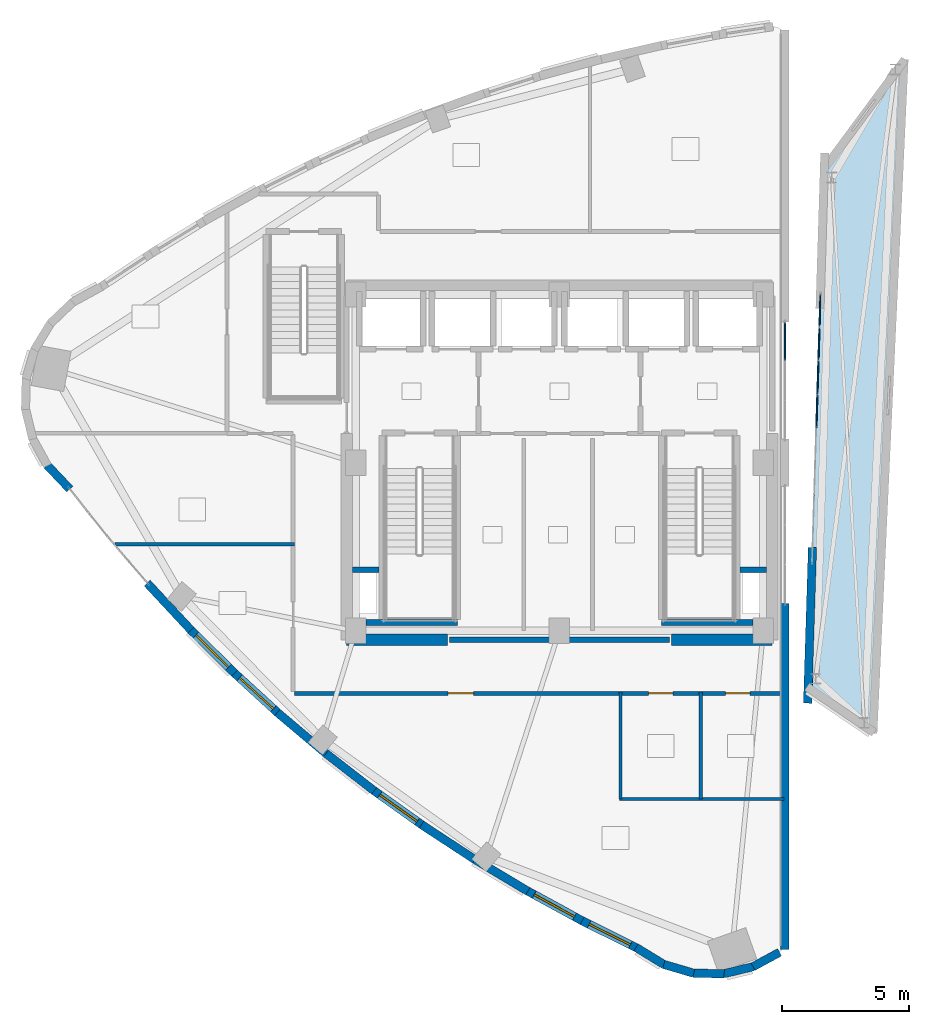
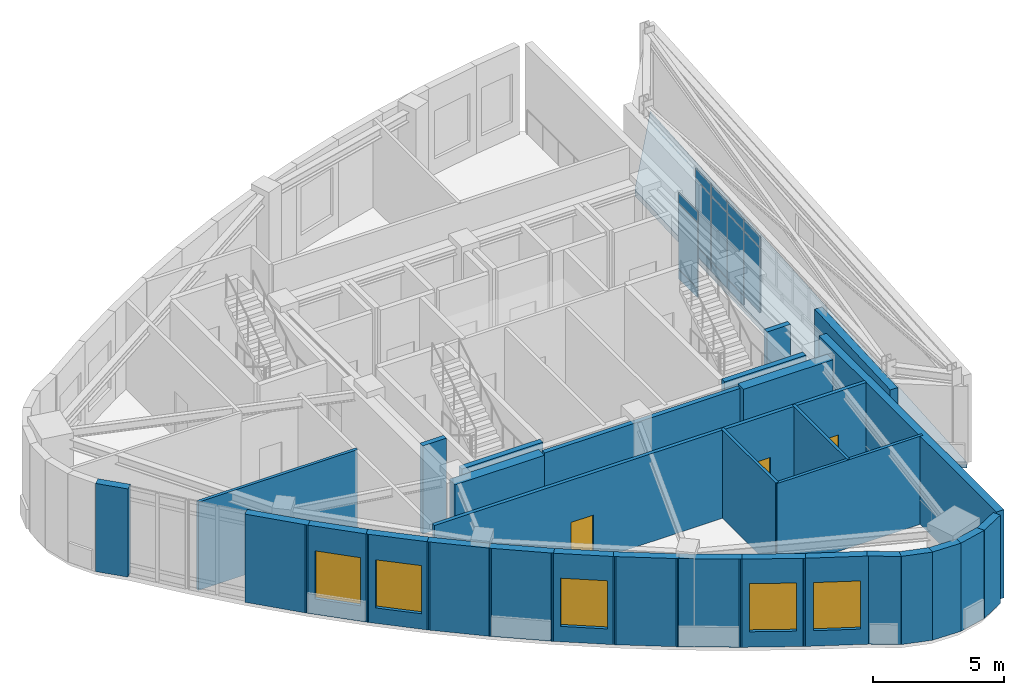
# One storey, part 13 of 19: 30 walls, 14 plates, 5 windows, 3 doors, 1 slab, 8 openings, 2 elements without a shape of their own.
"""IFC4 building model written with IfcOpenShell, lengths in metres."""

from ifc_helpers import new_model, si_unit, direction, frame, frame_2d, origin, origin_2d, place, context, subcontext, project, spatial, polyline, rectangle, outline, extrude, material, layer, layer_set, type_object, element, fill, aggregate, save


model = new_model("IFC4")

# Units and contexts
model_context = context("Model", 3, precision=1e-05, world=origin(), true_north=direction((0.0, 1.0)))
body_context = subcontext(model_context, "Body", "Model", "MODEL_VIEW")
ifc_project = project(units=[si_unit("LENGTHUNIT", "METRE"), si_unit("AREAUNIT", "SQUARE_METRE"), si_unit("VOLUMEUNIT", "CUBIC_METRE"), si_unit("PLANEANGLEUNIT", "RADIAN"), si_unit("MASSUNIT", "GRAM", prefix="KILO")], contexts=[model_context])

# Site, building, storey
site_placement = place(None, origin())
site = spatial("IfcSite", under=ifc_project, at=site_placement, CompositionType="ELEMENT")
building_placement = place(site_placement, origin())
building = spatial("IfcBuilding", under=site, at=building_placement, Name="Ndelora Gate Hotel", CompositionType="ELEMENT")
storey_placement = place(building_placement, frame((0.0, 0.0, 299.199951171875)))
storey = spatial("IfcBuildingStorey", under=building, at=storey_placement, Name="L74", CompositionType="ELEMENT", Elevation=299.199951171875)

# Curtain wall, plates
ifc_material_1 = material(Name="Bronze Anodised Unitised Aluminium and Low-E Glass", Category="aluminium")
ifc_layer_1 = layer(ifc_material_1, 0.199951171875)
ifc_layer_set_1 = layer_set([ifc_layer_1], Name="Bronze Anodised Unitised Aluminium and Low-E Glass")
curtain_wall_type = type_object("IfcCurtainWallType", Name="CW-SYS-8", PredefinedType="NOTDEFINED", material=ifc_layer_set_1)
curtain_wall_1_placement = place(storey_placement, origin())
curtain_wall_1 = element("IfcCurtainWall", 1, at=curtain_wall_1_placement, inside=storey, type_object=curtain_wall_type, Name="L74 Split-Crown West Cleft Lantern Curtain Wall CW8-2", PredefinedType="NOTDEFINED")
ifc_material_2 = material(Name="Solar-Control Low-E Insulated Glazing", Category="glass")
ifc_layer_2 = layer(ifc_material_2, 0.048095703125)
ifc_layer_set_2 = layer_set([ifc_layer_2], Name="Solar-Control Low-E Insulated Glazing")
plate_type = type_object("IfcPlateType", Name="PL-CW-GLZ36", PredefinedType="CURTAIN_PANEL", material=ifc_layer_set_2)
plate_1_placement = place(storey_placement, frame((8.85009765625, 4.760009765625, 0.05419921875), z_axis=(0.0, 0.0, 1.0), x_axis=(0.0, 1.0, 0.0)))
plate_1 = element("IfcPlate", 2, at=plate_1_placement, type_object=plate_type, Name="CW8 panel 3.1", PredefinedType="CURTAIN_PANEL", context=body_context, shape_type="SweptSolid", body=[
    extrude(rectangle(XDim=1.471923828125, YDim=0.048095703125, at=origin_2d()), origin(), (0.0, 0.0, 1.0), 0.422119140625),
])
plate_2_placement = place(storey_placement, frame((8.85009765625, 4.760009765625, 0.524169921875), z_axis=(0.0, 0.0, 1.0), x_axis=(0.0, 1.0, 0.0)))
plate_2 = element("IfcPlate", 3, at=plate_2_placement, type_object=plate_type, Name="CW8 panel 3.2", PredefinedType="CURTAIN_PANEL", context=body_context, shape_type="SweptSolid", body=[
    extrude(rectangle(XDim=1.471923828125, YDim=0.048095703125, at=origin_2d()), origin(), (0.0, 0.0, 1.0), 3.02197265625),
])
plate_3_placement = place(storey_placement, frame((8.85009765625, 4.760009765625, 3.59423828125), z_axis=(0.0, 0.0, 1.0), x_axis=(0.0, 1.0, 0.0)))
plate_3 = element("IfcPlate", 4, at=plate_3_placement, type_object=plate_type, Name="CW8 panel 3.3", PredefinedType="CURTAIN_PANEL", context=body_context, shape_type="SweptSolid", body=[
    extrude(rectangle(XDim=1.471923828125, YDim=0.048095703125, at=origin_2d()), origin(), (0.0, 0.0, 1.0), 0.471923828125),
])
aggregate(curtain_wall_1, [plate_1, plate_2, plate_3])

curtain_wall_2_placement = place(storey_placement, origin())
curtain_wall_2 = element("IfcCurtainWall", 5, at=curtain_wall_2_placement, inside=storey, type_object=curtain_wall_type, Name="L74 Split-Crown East Cleft Lantern Curtain Wall CW8", PredefinedType="NOTDEFINED")
plate_4_placement = place(storey_placement, frame((10.21875, 5.97509765625, 0.05419921875), z_axis=(0.0, 0.0, 1.0), x_axis=(-0.031131345484, -0.999515302198, 0.0)))
plate_4 = element("IfcPlate", 6, at=plate_4_placement, type_object=plate_type, Name="CW8 panel 1.1", PredefinedType="CURTAIN_PANEL", context=body_context, shape_type="SweptSolid", body=[
    extrude(rectangle(XDim=1.24658203125, YDim=0.048095703125, at=origin_2d()), origin(), (0.0, 0.0, 1.0), 0.422119140625),
])
plate_5_placement = place(storey_placement, frame((10.21875, 5.97509765625, 0.524169921875), z_axis=(0.0, 0.0, 1.0), x_axis=(-0.031131345484, -0.999515302198, 0.0)))
plate_5 = element("IfcPlate", 7, at=plate_5_placement, type_object=plate_type, Name="CW8 panel 1.2", PredefinedType="CURTAIN_PANEL", context=body_context, shape_type="SweptSolid", body=[
    extrude(rectangle(XDim=1.24658203125, YDim=0.048095703125, at=origin_2d()), origin(), (0.0, 0.0, 1.0), 3.02197265625),
])
plate_6_placement = place(storey_placement, frame((10.21875, 5.97509765625, 3.59423828125), z_axis=(0.0, 0.0, 1.0), x_axis=(-0.031131345484, -0.999515302198, 0.0)))
plate_6 = element("IfcPlate", 8, at=plate_6_placement, type_object=plate_type, Name="CW8 panel 1.3", PredefinedType="CURTAIN_PANEL", context=body_context, shape_type="SweptSolid", body=[
    extrude(rectangle(XDim=1.24658203125, YDim=0.048095703125, at=origin_2d()), origin(), (0.0, 0.0, 1.0), 0.471923828125),
])
plate_7_placement = place(storey_placement, frame((10.177978515625, 4.666259765625, 0.05419921875), z_axis=(0.0, 0.0, 1.0), x_axis=(-0.031131345484, -0.999515302198, 0.0)))
plate_7 = element("IfcPlate", 9, at=plate_7_placement, type_object=plate_type, Name="CW8 panel 2.1", PredefinedType="CURTAIN_PANEL", context=body_context, shape_type="SweptSolid", body=[
    extrude(rectangle(XDim=1.276611328125, YDim=0.048095703125, at=origin_2d()), origin(), (0.0, 0.0, 1.0), 0.422119140625),
])
plate_8_placement = place(storey_placement, frame((10.177978515625, 4.666259765625, 0.524169921875), z_axis=(0.0, 0.0, 1.0), x_axis=(-0.031131345484, -0.999515302198, 0.0)))
plate_8 = element("IfcPlate", 10, at=plate_8_placement, type_object=plate_type, Name="CW8 panel 2.2", PredefinedType="CURTAIN_PANEL", context=body_context, shape_type="SweptSolid", body=[
    extrude(rectangle(XDim=1.276611328125, YDim=0.048095703125, at=origin_2d()), origin(), (0.0, 0.0, 1.0), 3.02197265625),
])
plate_9_placement = place(storey_placement, frame((10.177978515625, 4.666259765625, 3.59423828125), z_axis=(0.0, 0.0, 1.0), x_axis=(-0.031131345484, -0.999515302198, 0.0)))
plate_9 = element("IfcPlate", 11, at=plate_9_placement, type_object=plate_type, Name="CW8 panel 2.3", PredefinedType="CURTAIN_PANEL", context=body_context, shape_type="SweptSolid", body=[
    extrude(rectangle(XDim=1.276611328125, YDim=0.048095703125, at=origin_2d()), origin(), (0.0, 0.0, 1.0), 0.471923828125),
])
plate_10_placement = place(storey_placement, frame((10.13671875, 3.34228515625, 0.05419921875), z_axis=(0.0, 0.0, 1.0), x_axis=(-0.031131345484, -0.999515302198, 0.0)))
plate_10 = element("IfcPlate", 12, at=plate_10_placement, type_object=plate_type, Name="CW8 panel 3.1", PredefinedType="CURTAIN_PANEL", context=body_context, shape_type="SweptSolid", body=[
    extrude(rectangle(XDim=1.276611328125, YDim=0.048095703125, at=origin_2d()), origin(), (0.0, 0.0, 1.0), 0.422119140625),
])
plate_11_placement = place(storey_placement, frame((10.13671875, 3.34228515625, 0.524169921875), z_axis=(0.0, 0.0, 1.0), x_axis=(-0.031131345484, -0.999515302198, 0.0)))
plate_11 = element("IfcPlate", 13, at=plate_11_placement, type_object=plate_type, Name="CW8 panel 3.2", PredefinedType="CURTAIN_PANEL", context=body_context, shape_type="SweptSolid", body=[
    extrude(rectangle(XDim=1.276611328125, YDim=0.048095703125, at=origin_2d()), origin(), (0.0, 0.0, 1.0), 3.02197265625),
])
plate_12_placement = place(storey_placement, frame((10.13671875, 3.34228515625, 3.59423828125), z_axis=(0.0, 0.0, 1.0), x_axis=(-0.031131345484, -0.999515302198, 0.0)))
plate_12 = element("IfcPlate", 14, at=plate_12_placement, type_object=plate_type, Name="CW8 panel 3.3", PredefinedType="CURTAIN_PANEL", context=body_context, shape_type="SweptSolid", body=[
    extrude(rectangle(XDim=1.276611328125, YDim=0.048095703125, at=origin_2d()), origin(), (0.0, 0.0, 1.0), 0.471923828125),
])
plate_13_placement = place(storey_placement, frame((10.095458984375, 2.018310546875, 0.524169921875), z_axis=(0.0, 0.0, 1.0), x_axis=(-0.031131345484, -0.999515302198, 0.0)))
plate_13 = element("IfcPlate", 15, at=plate_13_placement, type_object=plate_type, Name="CW8 panel 4.2", PredefinedType="CURTAIN_PANEL", context=body_context, shape_type="SweptSolid", body=[
    extrude(rectangle(XDim=1.276611328125, YDim=0.048095703125, at=origin_2d()), origin(), (0.0, 0.0, 1.0), 3.02197265625),
])
plate_14_placement = place(storey_placement, frame((10.095458984375, 2.018310546875, 3.59423828125), z_axis=(0.0, 0.0, 1.0), x_axis=(-0.031131345484, -0.999515302198, 0.0)))
plate_14 = element("IfcPlate", 16, at=plate_14_placement, type_object=plate_type, Name="CW8 panel 4.3", PredefinedType="CURTAIN_PANEL", context=body_context, shape_type="SweptSolid", body=[
    extrude(rectangle(XDim=1.276611328125, YDim=0.048095703125, at=origin_2d()), origin(), (0.0, 0.0, 1.0), 0.471923828125),
])
aggregate(curtain_wall_2, [plate_4, plate_5, plate_6, plate_7, plate_8, plate_9, plate_10, plate_11, plate_12, plate_13, plate_14])

# Slab
ifc_material_3 = material(Name="Concrete C40/50", Category="concrete")
ifc_layer_3 = layer(ifc_material_3, 0.280029296875)
ifc_layer_set_3 = layer_set([ifc_layer_3], Name="Concrete C40/50")
slab_type = type_object("IfcSlabType", Name="SL-ROOF-280", PredefinedType="ROOF", material=ifc_layer_set_3)
slab_placement = place(storey_placement, frame((0.0, 0.0, -0.280029296875)))
element("IfcSlab", 17, at=slab_placement, inside=storey, type_object=slab_type, Name="L74 East Crown Peak Deck", PredefinedType="ROOF", context=body_context, shape_type="SweptSolid", body=[
    extrude(outline(polyline([(9.757568359375, -8.828369140625), (12.306884765625, -10.562255859375), (13.527099609375, 15.7783203125), (10.39208984375, 11.540771484375), (9.757568359375, -8.828369140625)])), origin(), (0.0, 0.0, 1.0), 0.280029296875),
])

# Walls
ifc_material_4 = material(Name="Clay Brick Masonry", Category="masonry")
ifc_layer_4 = layer(ifc_material_4, 0.330078125)
ifc_layer_set_4 = layer_set([ifc_layer_4], Name="Clay Brick Masonry")
wall_type_1 = type_object("IfcWallType", Name="WL-BRICK-330", PredefinedType="SOLIDWALL", material=ifc_layer_set_4)
wall_1_placement = place(storey_placement, frame((8.85009765625, -5.52001953125, 0.0), z_axis=(0.0, 0.0, 1.0), x_axis=(0.0, -1.0, 0.0)))
element("IfcWall", 18, at=wall_1_placement, inside=storey, type_object=wall_type_1, Name="L74 West Crown Canyon Brick Pier 1", PredefinedType="SOLIDWALL", context=body_context, shape_type="SweptSolid", body=[
    extrude(rectangle(XDim=13.590576171875, YDim=0.330078125, at=frame_2d((6.79541015625, 0.0))), origin(), (0.0, 0.0, 1.0), 4.1201171875),
])
wall_2_placement = place(storey_placement, frame((9.738525390625, -9.439453125, 0.0), z_axis=(0.0, 0.0, 1.0), x_axis=(0.031147484759, 0.999514799387, 0.0)))
element("IfcWall", 19, at=wall_2_placement, inside=storey, type_object=wall_type_1, Name="L74 East Crown Canyon Brick Pier 1", PredefinedType="SOLIDWALL", context=body_context, shape_type="SweptSolid", body=[
    extrude(rectangle(XDim=6.11376953125, YDim=0.330078125, at=frame_2d((3.056884765625, 0.0))), origin(), (0.0, 0.0, 1.0), 3.650146484375),
])
wall_3_placement = place(storey_placement, frame((-19.214599609375, -1.038818359375, 0.0), z_axis=(0.0, 0.0, 1.0), x_axis=(-0.687489239636, 0.726194564414, 0.0)))
element("IfcWall", 20, at=wall_3_placement, inside=storey, type_object=wall_type_1, Name="L74 Tower Brick Pier-and-Spandrel Wall WPK-15", PredefinedType="SOLIDWALL", context=body_context, shape_type="SweptSolid", body=[
    extrude(rectangle(XDim=1.29931640625, YDim=0.330078125, at=frame_2d((0.649658203125, 0.0))), origin(), (0.0, 0.0, 1.0), 4.1201171875),
])
wall_4_placement = place(storey_placement, frame((-14.4619140625, -6.572021484375, 0.0), z_axis=(0.0, 0.0, 1.0), x_axis=(-0.681100323402, 0.732190104728, 0.0)))
element("IfcWall", 21, at=wall_4_placement, inside=storey, type_object=wall_type_1, Name="L74 Tower Brick Pier-and-Spandrel Wall WPK-18", PredefinedType="SOLIDWALL", context=body_context, shape_type="SweptSolid", body=[
    extrude(rectangle(XDim=2.523193359375, YDim=0.330078125, at=frame_2d((1.26171875, 0.0))), origin(), (0.0, 0.0, 1.0), 4.1201171875),
])

# Wall, opening, window
wall_5_placement = place(storey_placement, frame((-12.755859375, -8.26171875, 0.0), z_axis=(0.0, 0.0, 1.0), x_axis=(-0.709823779942, 0.704379302243, 0.0)))
wall_5 = element("IfcWall", 22, at=wall_5_placement, inside=storey, type_object=wall_type_1, Name="L74 Tower Brick Pier-and-Spandrel Wall WPK-19", PredefinedType="SOLIDWALL", context=body_context, shape_type="SweptSolid", body=[
    extrude(rectangle(XDim=2.51123046875, YDim=0.330078125, at=frame_2d((1.255615234375, 0.0))), origin(), (0.0, 0.0, 1.0), 4.1201171875),
])
opening_1_placement = place(wall_5_placement, frame((0.32568359375, 0.0, 0.719970703125)))
opening_1 = element("IfcOpeningElement", 23, at=opening_1_placement, cuts=wall_5, Name="Opening W06", PredefinedType="OPENING", context=body_context, shape_type="SweptSolid", body=[
    extrude(rectangle(XDim=1.800048828125, YDim=2.25, at=frame_2d((0.89990234375, 1.125))), frame((0.0, 0.175048828125, 0.0), z_axis=(0.0, -1.0, 0.0), x_axis=(1.0, 0.0, 0.0)), (0.0, 0.0, 1.0), 0.35009765625),
])
ifc_material_5 = material(Name="Insulated Low-E Double Glazing in Bronze Aluminium Frame", Category="aluminium")
window_type = type_object("IfcWindowType", Name="WN-OBS-1800", PartitioningType="SINGLE_PANEL", PredefinedType="WINDOW", material=ifc_material_5)
window_1_placement = place(opening_1_placement, origin())
window_1 = element("IfcWindow", 24, at=window_1_placement, inside=storey, type_object=window_type, Name="L74 Deep-Set Brick-Pier Window W06", OverallHeight=2.25, OverallWidth=1.800048828125, PartitioningType="SINGLE_PANEL", PredefinedType="WINDOW", context=body_context, shape_type="SweptSolid", body=[
    extrude(rectangle(XDim=1.800048828125, YDim=2.25, at=frame_2d((0.89990234375, 1.125))), frame((0.0, 0.030029296875, 0.0), z_axis=(0.0, -1.0, 0.0), x_axis=(1.0, 0.0, 0.0)), (0.0, 0.0, 1.0), 0.06005859375),
])
fill(opening_1, window_1)

wall_6_placement = place(storey_placement, frame((-10.989013671875, -9.876220703125, 0.0), z_axis=(0.0, 0.0, 1.0), x_axis=(-0.737627628948, 0.675207731748, 0.0)))
wall_6 = element("IfcWall", 25, at=wall_6_placement, inside=storey, type_object=wall_type_1, Name="L74 Tower Brick Pier-and-Spandrel Wall WPK-20", PredefinedType="SOLIDWALL", context=body_context, shape_type="SweptSolid", body=[
    extrude(rectangle(XDim=2.503173828125, YDim=0.330078125, at=frame_2d((1.25146484375, 0.0))), origin(), (0.0, 0.0, 1.0), 4.1201171875),
])
opening_2_placement = place(wall_6_placement, frame((0.321533203125, 0.0, 0.719970703125)))
opening_2 = element("IfcOpeningElement", 26, at=opening_2_placement, cuts=wall_6, Name="Opening W06", PredefinedType="OPENING", context=body_context, shape_type="SweptSolid", body=[
    extrude(rectangle(XDim=1.800048828125, YDim=2.25, at=frame_2d((0.89990234375, 1.125))), frame((0.0, 0.175048828125, 0.0), z_axis=(0.0, -1.0, 0.0), x_axis=(1.0, 0.0, 0.0)), (0.0, 0.0, 1.0), 0.35009765625),
])
window_2_placement = place(opening_2_placement, origin())
window_2 = element("IfcWindow", 27, at=window_2_placement, inside=storey, type_object=window_type, Name="L74 Deep-Set Brick-Pier Window W06", OverallHeight=2.25, OverallWidth=1.800048828125, PartitioningType="SINGLE_PANEL", PredefinedType="WINDOW", context=body_context, shape_type="SweptSolid", body=[
    extrude(rectangle(XDim=1.800048828125, YDim=2.25, at=frame_2d((0.89990234375, 1.125))), frame((0.0, 0.030029296875, 0.0), z_axis=(0.0, -1.0, 0.0), x_axis=(1.0, 0.0, 0.0)), (0.0, 0.0, 1.0), 0.06005859375),
])
fill(opening_2, window_2)

# Walls
wall_7_placement = place(storey_placement, frame((-9.161376953125, -11.415283203125, 0.0), z_axis=(0.0, 0.0, 1.0), x_axis=(-0.764315556833, 0.644842406781, 0.0)))
element("IfcWall", 28, at=wall_7_placement, inside=storey, type_object=wall_type_1, Name="L74 Tower Brick Pier-and-Spandrel Wall WPK-21", PredefinedType="SOLIDWALL", context=body_context, shape_type="SweptSolid", body=[
    extrude(rectangle(XDim=2.499267578125, YDim=0.330078125, at=frame_2d((1.24951171875, 0.0))), origin(), (0.0, 0.0, 1.0), 4.1201171875),
])
wall_8_placement = place(storey_placement, frame((-7.27294921875, -12.87890625, 0.0), z_axis=(0.0, 0.0, 1.0), x_axis=(-0.789841179094, 0.613311431336, 0.0)))
element("IfcWall", 29, at=wall_8_placement, inside=storey, type_object=wall_type_1, Name="L74 Tower Brick Pier-and-Spandrel Wall WPK-22", PredefinedType="SOLIDWALL", context=body_context, shape_type="SweptSolid", body=[
    extrude(rectangle(XDim=2.4990234375, YDim=0.330078125, at=frame_2d((1.24951171875, 0.0))), origin(), (0.0, 0.0, 1.0), 4.1201171875),
])

# Wall, opening, window
wall_9_placement = place(storey_placement, frame((-5.323486328125, -14.26708984375, 0.0), z_axis=(0.0, 0.0, 1.0), x_axis=(-0.814029925436, 0.580822933857, 0.0)))
wall_9 = element("IfcWall", 30, at=wall_9_placement, inside=storey, type_object=wall_type_1, Name="L74 Tower Brick Pier-and-Spandrel Wall WPK-23", PredefinedType="SOLIDWALL", context=body_context, shape_type="SweptSolid", body=[
    extrude(rectangle(XDim=2.503173828125, YDim=0.330078125, at=frame_2d((1.25146484375, 0.0))), origin(), (0.0, 0.0, 1.0), 4.1201171875),
])
opening_3_placement = place(wall_9_placement, frame((0.321533203125, 0.0, 0.719970703125)))
opening_3 = element("IfcOpeningElement", 31, at=opening_3_placement, cuts=wall_9, Name="Opening W06", PredefinedType="OPENING", context=body_context, shape_type="SweptSolid", body=[
    extrude(rectangle(XDim=1.800048828125, YDim=2.25, at=frame_2d((0.89990234375, 1.125))), frame((0.0, 0.175048828125, 0.0), z_axis=(0.0, -1.0, 0.0), x_axis=(1.0, 0.0, 0.0)), (0.0, 0.0, 1.0), 0.35009765625),
])
window_3_placement = place(opening_3_placement, origin())
window_3 = element("IfcWindow", 32, at=window_3_placement, inside=storey, type_object=window_type, Name="L74 Deep-Set Brick-Pier Window W06", OverallHeight=2.25, OverallWidth=1.800048828125, PartitioningType="SINGLE_PANEL", PredefinedType="WINDOW", context=body_context, shape_type="SweptSolid", body=[
    extrude(rectangle(XDim=1.800048828125, YDim=2.25, at=frame_2d((0.89990234375, 1.125))), frame((0.0, 0.030029296875, 0.0), z_axis=(0.0, -1.0, 0.0), x_axis=(1.0, 0.0, 0.0)), (0.0, 0.0, 1.0), 0.06005859375),
])
fill(opening_3, window_3)

# Walls
wall_10_placement = place(storey_placement, frame((-3.313232421875, -15.580078125, 0.0), z_axis=(0.0, 0.0, 1.0), x_axis=(-0.836746876737, 0.547589868671, 0.0)))
element("IfcWall", 33, at=wall_10_placement, inside=storey, type_object=wall_type_1, Name="L74 Tower Brick Pier-and-Spandrel Wall WPK-24", PredefinedType="SOLIDWALL", context=body_context, shape_type="SweptSolid", body=[
    extrude(rectangle(XDim=2.510986328125, YDim=0.330078125, at=frame_2d((1.25537109375, 0.0))), origin(), (0.0, 0.0, 1.0), 4.1201171875),
])
wall_11_placement = place(storey_placement, frame((-1.241943359375, -16.818115234375, 0.0), z_axis=(0.0, 0.0, 1.0), x_axis=(-0.857902474262, 0.513812557899, 0.0)))
element("IfcWall", 34, at=wall_11_placement, inside=storey, type_object=wall_type_1, Name="L74 Tower Brick Pier-and-Spandrel Wall WPK-25", PredefinedType="SOLIDWALL", context=body_context, shape_type="SweptSolid", body=[
    extrude(rectangle(XDim=2.523193359375, YDim=0.330078125, at=frame_2d((1.26171875, 0.0))), origin(), (0.0, 0.0, 1.0), 4.1201171875),
])

# Wall, opening, window
wall_12_placement = place(storey_placement, frame((0.890380859375, -17.98046875, 0.0), z_axis=(0.0, 0.0, 1.0), x_axis=(-0.877542510611, 0.479498844702, 0.0)))
wall_12 = element("IfcWall", 35, at=wall_12_placement, inside=storey, type_object=wall_type_1, Name="L74 Tower Brick Pier-and-Spandrel Wall WPK-26", PredefinedType="SOLIDWALL", context=body_context, shape_type="SweptSolid", body=[
    extrude(rectangle(XDim=2.53857421875, YDim=0.330078125, at=frame_2d((1.269287109375, 0.0))), origin(), (0.0, 0.0, 1.0), 4.1201171875),
])
opening_4_placement = place(wall_12_placement, frame((0.33935546875, 0.0, 0.719970703125)))
opening_4 = element("IfcOpeningElement", 36, at=opening_4_placement, cuts=wall_12, Name="Opening W06", PredefinedType="OPENING", context=body_context, shape_type="SweptSolid", body=[
    extrude(rectangle(XDim=1.800048828125, YDim=2.25, at=frame_2d((0.89990234375, 1.125))), frame((0.0, 0.175048828125, 0.0), z_axis=(0.0, -1.0, 0.0), x_axis=(1.0, 0.0, 0.0)), (0.0, 0.0, 1.0), 0.35009765625),
])
window_4_placement = place(opening_4_placement, origin())
window_4 = element("IfcWindow", 37, at=window_4_placement, inside=storey, type_object=window_type, Name="L74 Deep-Set Brick-Pier Window W06", OverallHeight=2.25, OverallWidth=1.800048828125, PartitioningType="SINGLE_PANEL", PredefinedType="WINDOW", context=body_context, shape_type="SweptSolid", body=[
    extrude(rectangle(XDim=1.800048828125, YDim=2.25, at=frame_2d((0.89990234375, 1.125))), frame((0.0, 0.030029296875, 0.0), z_axis=(0.0, -1.0, 0.0), x_axis=(1.0, 0.0, 0.0)), (0.0, 0.0, 1.0), 0.06005859375),
])
fill(opening_4, window_4)

wall_13_placement = place(storey_placement, frame((3.100830078125, -19.078125, 0.0), z_axis=(0.0, 0.0, 1.0), x_axis=(-0.895277941462, 0.445508033073, 0.0)))
wall_13 = element("IfcWall", 38, at=wall_13_placement, inside=storey, type_object=wall_type_1, Name="L74 Tower Brick Pier-and-Spandrel Wall WPK-27", PredefinedType="SOLIDWALL", context=body_context, shape_type="SweptSolid", body=[
    extrude(rectangle(XDim=2.577880859375, YDim=0.330078125, at=frame_2d((1.2890625, 0.0))), origin(), (0.0, 0.0, 1.0), 4.1201171875),
])
opening_5_placement = place(wall_13_placement, frame((0.35888671875, 0.0, 0.719970703125)))
opening_5 = element("IfcOpeningElement", 39, at=opening_5_placement, cuts=wall_13, Name="Opening W06", PredefinedType="OPENING", context=body_context, shape_type="SweptSolid", body=[
    extrude(rectangle(XDim=1.800048828125, YDim=2.25, at=frame_2d((0.89990234375, 1.125))), frame((0.0, 0.175048828125, 0.0), z_axis=(0.0, -1.0, 0.0), x_axis=(1.0, 0.0, 0.0)), (0.0, 0.0, 1.0), 0.35009765625),
])
window_5_placement = place(opening_5_placement, origin())
window_5 = element("IfcWindow", 40, at=window_5_placement, inside=storey, type_object=window_type, Name="L74 Deep-Set Brick-Pier Window W06", OverallHeight=2.25, OverallWidth=1.800048828125, PartitioningType="SINGLE_PANEL", PredefinedType="WINDOW", context=body_context, shape_type="SweptSolid", body=[
    extrude(rectangle(XDim=1.800048828125, YDim=2.25, at=frame_2d((0.89990234375, 1.125))), frame((0.0, 0.030029296875, 0.0), z_axis=(0.0, -1.0, 0.0), x_axis=(1.0, 0.0, 0.0)), (0.0, 0.0, 1.0), 0.06005859375),
])
fill(opening_5, window_5)

# Walls
wall_14_placement = place(storey_placement, frame((4.121826171875, -19.70751953125, 0.0), z_axis=(0.0, 0.0, 1.0), x_axis=(-0.853318707867, 0.521389665034, 0.0)))
element("IfcWall", 41, at=wall_14_placement, inside=storey, type_object=wall_type_1, Name="L74 Tower Brick Pier-and-Spandrel Wall WPK-28", PredefinedType="SOLIDWALL", context=body_context, shape_type="SweptSolid", body=[
    extrude(rectangle(XDim=1.309326171875, YDim=0.330078125, at=frame_2d((0.65478515625, 0.0))), origin(), (0.0, 0.0, 1.0), 4.1201171875),
])
for number, where, z_axis, x_axis, name in (
    (42, (5.27099609375, -20.038330078125, 0.0), (0.0, 0.0, 1.0), (-0.959229011415, 0.282629976578, 0.0), "L74 Tower Brick Pier-and-Spandrel Wall WPK-30"),
    (43, (6.466552734375, -20.060546875, 0.0), (0.0, 0.0, 1.0), (-0.999694943543, 0.024698579996, 0.0), "L74 Tower Brick Pier-and-Spandrel Wall WPK-32"),
):
    element("IfcWall", number, at=place(storey_placement, frame(where, z_axis=z_axis, x_axis=x_axis)), inside=storey, type_object=wall_type_1, Name=name, PredefinedType="SOLIDWALL", context=body_context, shape_type="SweptSolid", body=[
        extrude(rectangle(XDim=1.225830078125, YDim=0.330078125, at=frame_2d((0.61279296875, 0.0))), origin(), (0.0, 0.0, 1.0), 4.1201171875),
    ])
wall_15_placement = place(storey_placement, frame((7.62744140625, -19.7724609375, 0.0), z_axis=(0.0, 0.0, 1.0), x_axis=(-0.97199913572, -0.234984425353, 0.0)))
element("IfcWall", 44, at=wall_15_placement, inside=storey, type_object=wall_type_1, Name="L74 Tower Brick Pier-and-Spandrel Wall WPK-34", PredefinedType="SOLIDWALL", context=body_context, shape_type="SweptSolid", body=[
    extrude(rectangle(XDim=1.22607421875, YDim=0.330078125, at=frame_2d((0.613037109375, 0.0))), origin(), (0.0, 0.0, 1.0), 4.1201171875),
])
wall_16_placement = place(storey_placement, frame((8.640380859375, -19.214111328125, 0.0), z_axis=(0.0, 0.0, 1.0), x_axis=(-0.878860825238, -0.477078242914, 0.0)))
element("IfcWall", 45, at=wall_16_placement, inside=storey, type_object=wall_type_1, Name="L74 Tower Brick Pier-and-Spandrel Wall WPK-36", PredefinedType="SOLIDWALL", context=body_context, shape_type="SweptSolid", body=[
    extrude(rectangle(XDim=1.186767578125, YDim=0.330078125, at=frame_2d((0.59326171875, 0.0))), origin(), (0.0, 0.0, 1.0), 4.1201171875),
])
ifc_material_6 = material(Name="Concrete C50/60", Category="concrete")
ifc_layer_5 = layer(ifc_material_6, 0.449951171875)
ifc_layer_set_5 = layer_set([ifc_layer_5], Name="Concrete C50/60")
wall_type_2 = type_object("IfcWallType", Name="WL-CORE-450", PredefinedType="SHEAR", material=ifc_layer_set_5)
for number, where, z_axis, x_axis, name in (
    (46, (-8.35009765625, -6.949951171875, 0.0), (0.0, 0.0, 1.0), (1.0, 0.0, 0.0), "L74 Core Shear Wall S-W"),
    (47, (4.39990234375, -6.949951171875, 0.0), (0.0, 0.0, 1.0), (1.0, 0.0, 0.0), "L74 Core Shear Wall S-E"),
):
    element("IfcWall", number, at=place(storey_placement, frame(where, z_axis=z_axis, x_axis=x_axis)), inside=storey, type_object=wall_type_2, Name=name, PredefinedType="SHEAR", context=body_context, shape_type="SweptSolid", body=[
        extrude(rectangle(XDim=3.9501953125, YDim=0.449951171875, at=frame_2d((1.97509765625, 0.0))), origin(), (0.0, 0.0, 1.0), 4.1201171875),
    ])
ifc_layer_6 = layer(ifc_material_3, 0.199951171875)
ifc_layer_set_6 = layer_set([ifc_layer_6], Name="Concrete C40/50")
wall_type_3 = type_object("IfcWallType", Name="WL-FIRE-200", PredefinedType="PARTITIONING", material=ifc_layer_set_6)
wall_17_placement = place(storey_placement, frame((-4.320068359375, -6.949951171875, 0.0), z_axis=(0.0, 0.0, 1.0), x_axis=(1.0, 0.0, 0.0)))
element("IfcWall", 48, at=wall_17_placement, inside=storey, type_object=wall_type_3, Name="L74 Interior Wall IW-2", PredefinedType="PARTITIONING", context=body_context, shape_type="SweptSolid", body=[
    extrude(rectangle(XDim=8.64013671875, YDim=0.199951171875, at=frame_2d((4.320068359375, 0.0))), origin(), (0.0, 0.0, 1.0), 4.1201171875),
])

# Wall, openings, doors
ifc_material_7 = material(Name="Fire-Rated Gypsum Stud Partition", Category="gypsum")
ifc_layer_7 = layer(ifc_material_7, 0.159912109375)
ifc_layer_set_7 = layer_set([ifc_layer_7], Name="Fire-Rated Gypsum Stud Partition")
wall_type_4 = type_object("IfcWallType", Name="WL-PART-160", PredefinedType="PARTITIONING", material=ifc_layer_set_7)
wall_18_placement = place(storey_placement, frame((-10.39990234375, -9.050048828125, 0.0), z_axis=(0.0, 0.0, 1.0), x_axis=(1.0, 0.0, 0.0)))
wall_18 = element("IfcWall", 49, at=wall_18_placement, inside=storey, type_object=wall_type_4, Name="L74 Interior Wall IW-4", PredefinedType="PARTITIONING", context=body_context, shape_type="SweptSolid", body=[
    extrude(rectangle(XDim=19.099853515625, YDim=0.159912109375, at=frame_2d((9.5498046875, 0.0))), origin(), (0.0, 0.0, 1.0), 4.1201171875),
])
opening_6_placement = place(wall_18_placement, frame((6.030029296875, 0.0, 0.0)))
opening_6 = element("IfcOpeningElement", 50, at=opening_6_placement, cuts=wall_18, Name="Opening D01", PredefinedType="OPENING", context=body_context, shape_type="SweptSolid", body=[
    extrude(rectangle(XDim=1.0, YDim=2.14990234375, at=frame_2d((0.5, 1.074951171875))), frame((0.0, 0.08984375, 0.0), z_axis=(0.0, -1.0, 0.0), x_axis=(1.0, 0.0, 0.0)), (0.0, 0.0, 1.0), 0.179931640625),
])
opening_7_placement = place(wall_18_placement, frame((13.89990234375, 0.0, 0.0)))
opening_7 = element("IfcOpeningElement", 51, at=opening_7_placement, cuts=wall_18, Name="Opening D05", PredefinedType="OPENING", context=body_context, shape_type="SweptSolid", body=[
    extrude(rectangle(XDim=0.949951171875, YDim=2.10009765625, at=frame_2d((0.47509765625, 1.050048828125))), frame((0.0, 0.08984375, 0.0), z_axis=(0.0, -1.0, 0.0), x_axis=(1.0, 0.0, 0.0)), (0.0, 0.0, 1.0), 0.179931640625),
])
opening_8_placement = place(wall_18_placement, frame((16.919921875, 0.0, 0.0)))
opening_8 = element("IfcOpeningElement", 52, at=opening_8_placement, cuts=wall_18, Name="Opening D05", PredefinedType="OPENING", context=body_context, shape_type="SweptSolid", body=[
    extrude(rectangle(XDim=0.949951171875, YDim=2.10009765625, at=frame_2d((0.47509765625, 1.050048828125))), frame((0.0, 0.08984375, 0.0), z_axis=(0.0, -1.0, 0.0), x_axis=(1.0, 0.0, 0.0)), (0.0, 0.0, 1.0), 0.179931640625),
])
ifc_material_8 = material(Name="Accessible Restroom Wide-Clearance Door", Category="wood")
door_type_1 = type_object("IfcDoorType", Name="DR-ACC-950", OperationType="SINGLE_SWING_LEFT", PredefinedType="DOOR", material=ifc_material_8)
door_1_placement = place(opening_7_placement, origin())
door_1 = element("IfcDoor", 53, at=door_1_placement, inside=storey, type_object=door_type_1, Name="L74 Male Public Restroom Door", OperationType="SINGLE_SWING_LEFT", OverallHeight=2.10009765625, OverallWidth=0.949951171875, PredefinedType="DOOR", context=body_context, shape_type="SweptSolid", body=[
    extrude(rectangle(XDim=0.949951171875, YDim=2.10009765625, at=frame_2d((0.47509765625, 1.050048828125))), frame((0.0, 0.02490234375, 0.0), z_axis=(0.0, -1.0, 0.0), x_axis=(1.0, 0.0, 0.0)), (0.0, 0.0, 1.0), 0.050048828125),
])
fill(opening_7, door_1)
door_2_placement = place(opening_8_placement, origin())
door_2 = element("IfcDoor", 54, at=door_2_placement, inside=storey, type_object=door_type_1, Name="L74 Accessible WC Door", OperationType="SINGLE_SWING_RIGHT", OverallHeight=2.10009765625, OverallWidth=0.949951171875, PredefinedType="DOOR", context=body_context, shape_type="SweptSolid", body=[
    extrude(rectangle(XDim=0.949951171875, YDim=2.10009765625, at=frame_2d((0.47509765625, 1.050048828125))), frame((0.0, 0.02490234375, 0.0), z_axis=(0.0, -1.0, 0.0), x_axis=(1.0, 0.0, 0.0)), (0.0, 0.0, 1.0), 0.050048828125),
])
fill(opening_8, door_2)
ifc_material_9 = material(Name="Acoustic Hardwood Guest Entrance Door", Category="wood")
door_type_2 = type_object("IfcDoorType", Name="DR-COR-1000", OperationType="SINGLE_SWING_LEFT", PredefinedType="DOOR", material=ifc_material_9)
door_3_placement = place(opening_6_placement, origin())
door_3 = element("IfcDoor", 55, at=door_3_placement, inside=storey, type_object=door_type_2, Name="L74 VIP Diplomatic Banquet Room Door", OperationType="SINGLE_SWING_RIGHT", OverallHeight=2.14990234375, OverallWidth=1.0, PredefinedType="DOOR", context=body_context, shape_type="SweptSolid", body=[
    extrude(rectangle(XDim=1.0, YDim=2.14990234375, at=frame_2d((0.5, 1.074951171875))), frame((0.0, 0.02490234375, 0.0), z_axis=(0.0, -1.0, 0.0), x_axis=(1.0, 0.0, 0.0)), (0.0, 0.0, 1.0), 0.050048828125),
])
fill(opening_6, door_3)

# Walls
ifc_layer_8 = layer(ifc_material_3, 0.219970703125)
ifc_layer_set_8 = layer_set([ifc_layer_8], Name="Concrete C40/50")
wall_type_5 = type_object("IfcWallType", Name="WL-SHAFT-220", PredefinedType="PARTITIONING", material=ifc_layer_set_8)
for number, where, z_axis, x_axis, name in (
    (56, (-8.125, -4.199951171875, 0.0), (0.0, 0.0, 1.0), (1.0, 0.0, 0.0), "L74 Interior Wall IW-1"),
    (57, (7.090087890625, -4.199951171875, 0.0), (0.0, 0.0, 1.0), (1.0, 0.0, 0.0), "L74 Interior Wall IW-1"),
):
    element("IfcWall", number, at=place(storey_placement, frame(where, z_axis=z_axis, x_axis=x_axis)), inside=storey, type_object=wall_type_5, Name=name, PredefinedType="PARTITIONING", context=body_context, shape_type="SweptSolid", body=[
        extrude(rectangle(XDim=1.034912109375, YDim=0.219970703125, at=frame_2d((0.517578125, 0.0))), origin(), (0.0, 0.0, 1.0), 4.1201171875),
    ])
ifc_layer_9 = layer(ifc_material_6, 0.239990234375)
ifc_layer_set_9 = layer_set([ifc_layer_9], Name="Concrete C50/60")
wall_type_6 = type_object("IfcWallType", Name="WL-STAIR-240", PredefinedType="SHEAR", material=ifc_layer_set_9)
for number, where, z_axis, x_axis, name in (
    (58, (-7.60009765625, -6.27001953125, 0.0), (0.0, 0.0, 1.0), (1.0, 0.0, 0.0), "L74 Stair Core Shear Wall SW-ST"),
    (59, (4.010009765625, -6.27001953125, 0.0), (0.0, 0.0, 1.0), (1.0, 0.0, 0.0), "L74 Stair Core Shear Wall SW-ST"),
):
    element("IfcWall", number, at=place(storey_placement, frame(where, z_axis=z_axis, x_axis=x_axis)), inside=storey, type_object=wall_type_6, Name=name, PredefinedType="SHEAR", context=body_context, shape_type="SweptSolid", body=[
        extrude(rectangle(XDim=3.590087890625, YDim=0.239990234375, at=frame_2d((1.794921875, 0.0))), origin(), (0.0, 0.0, 1.0), 4.1201171875),
    ])
ifc_material_10 = material(Name="Moisture-Resistant Fire-Rated Tile Partition", Category="gypsum")
ifc_layer_10 = layer(ifc_material_10, 0.1298828125)
ifc_layer_set_10 = layer_set([ifc_layer_10], Name="Moisture-Resistant Fire-Rated Tile Partition")
wall_type_7 = type_object("IfcWallType", Name="WL-WET-RATED", PredefinedType="PARTITIONING", material=ifc_layer_set_10)
wall_19_placement = place(storey_placement, frame((-17.447998046875, -3.199951171875, 0.0), z_axis=(0.0, 0.0, 1.0), x_axis=(1.0, 0.0, 0.0)))
element("IfcWall", 60, at=wall_19_placement, inside=storey, type_object=wall_type_7, Name="L74 Interior Wall IW-6", PredefinedType="PARTITIONING", context=body_context, shape_type="SweptSolid", body=[
    extrude(rectangle(XDim=7.048095703125, YDim=0.1298828125, at=frame_2d((3.52392578125, 0.0))), origin(), (0.0, 0.0, 1.0), 4.1201171875),
])
for number, where, z_axis, x_axis, name in (
    (61, (2.39990234375, -9.0, 0.0), (0.0, 0.0, 1.0), (0.0, -1.0, 0.0), "L74 Interior Wall IW-6"),
    (62, (5.550048828125, -9.0, 0.0), (0.0, 0.0, 1.0), (0.0, -1.0, 0.0), "L74 Interior Wall IW-6"),
):
    element("IfcWall", number, at=place(storey_placement, frame(where, z_axis=z_axis, x_axis=x_axis)), inside=storey, type_object=wall_type_7, Name=name, PredefinedType="PARTITIONING", context=body_context, shape_type="SweptSolid", body=[
        extrude(rectangle(XDim=4.199951171875, YDim=0.1298828125, at=frame_2d((2.10009765625, 0.0))), origin(), (0.0, 0.0, 1.0), 4.1201171875),
    ])
wall_20_placement = place(storey_placement, frame((2.35009765625, -13.199951171875, 0.0), z_axis=(0.0, 0.0, 1.0), x_axis=(1.0, 0.0, 0.0)))
element("IfcWall", 63, at=wall_20_placement, inside=storey, type_object=wall_type_7, Name="L74 Interior Wall IW-6", PredefinedType="PARTITIONING", context=body_context, shape_type="SweptSolid", body=[
    extrude(rectangle(XDim=6.469482421875, YDim=0.1298828125, at=frame_2d((3.23486328125, 0.0))), origin(), (0.0, 0.0, 1.0), 4.1201171875),
])

save(model, "model.ifc")
